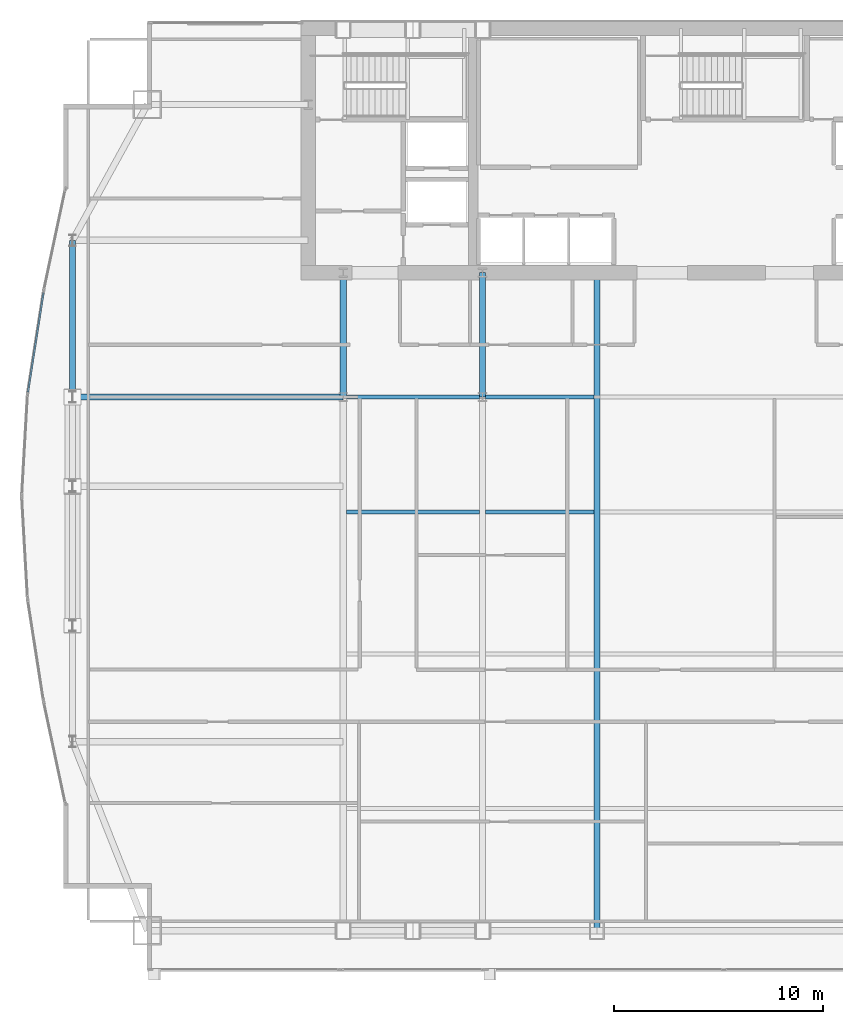
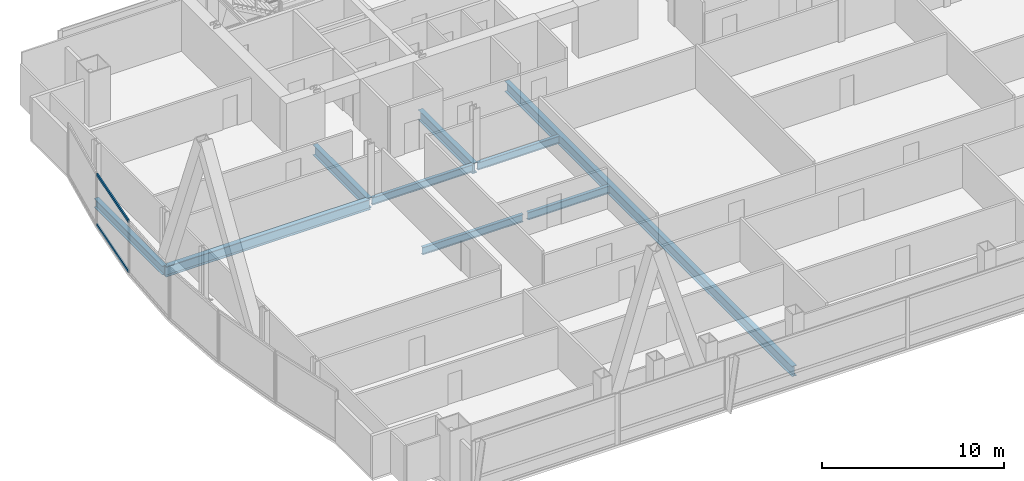
# One storey, part 12 of 30: 9 beams, 2 members, 1 element without a shape of its own.
"""IFC4 building model written with IfcOpenShell, lengths in metres."""

from ifc_helpers import new_model, si_unit, direction, frame, origin, origin_2d, place, context, subcontext, project, spatial, hollow_rectangle, i_section, extrude, material, material_profile, profile_set, type_object, element, aggregate, save


model = new_model("IFC4")

# Units and contexts
model_context = context("Model", 3, precision=1e-05, world=origin(), true_north=direction((0.0, 1.0)))
body_context = subcontext(model_context, "Body", "Model", "MODEL_VIEW")
ifc_project = project(units=[si_unit("LENGTHUNIT", "METRE"), si_unit("AREAUNIT", "SQUARE_METRE"), si_unit("VOLUMEUNIT", "CUBIC_METRE"), si_unit("PLANEANGLEUNIT", "RADIAN"), si_unit("MASSUNIT", "GRAM", prefix="KILO")], contexts=[model_context])

# Site, building, storey
site_placement = place(None, origin())
site = spatial("IfcSite", under=ifc_project, at=site_placement, CompositionType="ELEMENT")
building_placement = place(site_placement, origin())
building = spatial("IfcBuilding", under=site, at=building_placement, Name="Khoronbel Lancet Exchange", CompositionType="ELEMENT")
storey_placement = place(building_placement, frame((0.0, 0.0, 157.800048828125)))
storey = spatial("IfcBuildingStorey", under=building, at=storey_placement, Name="L39", CompositionType="ELEMENT", Elevation=157.800048828125)

# Beams
ifc_material_1 = material(Name="Steel S355", Category="steel")
ifc_material_profile_1 = material_profile(ifc_material_1, i_section(OverallWidth=0.300048828125, OverallDepth=0.699951171875, WebThickness=0.01708984375, FlangeThickness=0.031982421875, at=origin_2d()), Name="HEB 700")
ifc_profile_set_1 = profile_set([ifc_material_profile_1], Name="Steel S355")
beam_type_1 = type_object("IfcBeamType", Name="BM-BG3", PredefinedType="BEAM", material=ifc_profile_set_1)
for number, where, z_axis, x_axis, name in (
    (1, (18.22509765625, 35.699951171875, -0.510009765625), (0.0, 1.0, 0.0), (-1.0, 0.0, 0.0), "Level L39 spine tie girder GN1"),
    (2, (24.89990234375, 35.699951171875, -0.510009765625), (0.0, 1.0, 0.0), (-1.0, 0.0, 0.0), "Level L39 spine tie girder GN2"),
):
    element("IfcBeam", number, at=place(storey_placement, frame(where, z_axis=z_axis, x_axis=x_axis)), inside=storey, type_object=beam_type_1, Name=name, PredefinedType="BEAM", context=body_context, shape_type="SweptSolid", body=[
        extrude(i_section(OverallWidth=0.300048828125, OverallDepth=0.699951171875, WebThickness=0.01708984375, FlangeThickness=0.031982421875, at=origin_2d()), origin(), (0.0, 0.0, 1.0), 5.949951171875),
    ])
beam_1_placement = place(storey_placement, frame((30.375, 10.14990234375, -0.510009765625), z_axis=(0.0, 1.0, 0.0), x_axis=(-1.0, 0.0, 0.0)))
element("IfcBeam", 3, at=beam_1_placement, inside=storey, type_object=beam_type_1, Name="Level L39 primary floor girder G3", PredefinedType="BEAM", context=body_context, shape_type="SweptSolid", body=[
    extrude(i_section(OverallWidth=0.300048828125, OverallDepth=0.699951171875, WebThickness=0.01708984375, FlangeThickness=0.031982421875, at=origin_2d()), origin(), (0.0, 0.0, 1.0), 31.5),
])
beam_2_placement = place(storey_placement, frame((5.27001953125, 35.699951171875, -0.510009765625), z_axis=(1.0, 0.0, 0.0), x_axis=(0.0, 1.0, 0.0)))
element("IfcBeam", 4, at=beam_2_placement, inside=storey, type_object=beam_type_1, Name="Level L39 west lens tie girder LG4W", PredefinedType="BEAM", context=body_context, shape_type="SweptSolid", body=[
    extrude(i_section(OverallWidth=0.300048828125, OverallDepth=0.699951171875, WebThickness=0.01708984375, FlangeThickness=0.031982421875, at=origin_2d()), origin(), (0.0, 0.0, 1.0), 12.955078125),
])
ifc_material_profile_2 = material_profile(ifc_material_1, i_section(OverallWidth=0.199951171875, OverallDepth=0.5, WebThickness=0.01025390625, FlangeThickness=0.01611328125, at=origin_2d()), Name="IPE 500")
ifc_profile_set_2 = profile_set([ifc_material_profile_2], Name="Steel S355")
beam_type_2 = type_object("IfcBeamType", Name="BM-BJ3", PredefinedType="JOIST", material=ifc_profile_set_2)
beam_3_placement = place(storey_placement, frame((18.375, 30.199951171875, -0.41015625), z_axis=(1.0, 0.0, 0.0), x_axis=(0.0, 1.0, 0.0)))
element("IfcBeam", 5, at=beam_3_placement, inside=storey, type_object=beam_type_2, Name="Level L39 secondary composite joist J11", PredefinedType="JOIST", context=body_context, shape_type="SweptSolid", body=[
    extrude(i_section(OverallWidth=0.199951171875, OverallDepth=0.5, WebThickness=0.01025390625, FlangeThickness=0.01611328125, at=origin_2d()), origin(), (0.0, 0.0, 1.0), 6.375),
])
beam_4_placement = place(storey_placement, frame((25.050048828125, 30.199951171875, -0.41015625), z_axis=(1.0, 0.0, 0.0), x_axis=(0.0, 1.0, 0.0)))
element("IfcBeam", 6, at=beam_4_placement, inside=storey, type_object=beam_type_2, Name="Level L39 secondary composite joist J12", PredefinedType="JOIST", context=body_context, shape_type="SweptSolid", body=[
    extrude(i_section(OverallWidth=0.199951171875, OverallDepth=0.5, WebThickness=0.01025390625, FlangeThickness=0.01611328125, at=origin_2d()), origin(), (0.0, 0.0, 1.0), 5.175048828125),
])
beam_5_placement = place(storey_placement, frame((18.375, 35.699951171875, -0.41015625), z_axis=(1.0, 0.0, 0.0), x_axis=(0.0, 1.0, 0.0)))
element("IfcBeam", 7, at=beam_5_placement, inside=storey, type_object=beam_type_2, Name="Level L39 secondary composite joist J16", PredefinedType="JOIST", context=body_context, shape_type="SweptSolid", body=[
    extrude(i_section(OverallWidth=0.199951171875, OverallDepth=0.5, WebThickness=0.01025390625, FlangeThickness=0.01611328125, at=origin_2d()), origin(), (0.0, 0.0, 1.0), 6.375),
])
beam_6_placement = place(storey_placement, frame((25.050048828125, 35.699951171875, -0.41015625), z_axis=(1.0, 0.0, 0.0), x_axis=(0.0, 1.0, 0.0)))
element("IfcBeam", 8, at=beam_6_placement, inside=storey, type_object=beam_type_2, Name="Level L39 secondary composite joist J17", PredefinedType="JOIST", context=body_context, shape_type="SweptSolid", body=[
    extrude(i_section(OverallWidth=0.199951171875, OverallDepth=0.5, WebThickness=0.01025390625, FlangeThickness=0.01611328125, at=origin_2d()), origin(), (0.0, 0.0, 1.0), 5.175048828125),
])
ifc_material_profile_3 = material_profile(ifc_material_1, i_section(OverallWidth=0.300048828125, OverallDepth=0.60009765625, WebThickness=0.015380859375, FlangeThickness=0.030029296875, at=origin_2d()), Name="HEB 600")
ifc_profile_set_3 = profile_set([ifc_material_profile_3], Name="Steel S355")
beam_type_3 = type_object("IfcBeamType", Name="BM-BSP2", PredefinedType="SPANDREL", material=ifc_profile_set_3)
beam_7_placement = place(storey_placement, frame((5.27001953125, 43.199951171875, -0.4599609375), z_axis=(0.0, -1.0, 0.0), x_axis=(1.0, 0.0, 0.0)))
element("IfcBeam", 9, at=beam_7_placement, inside=storey, type_object=beam_type_3, Name="Level L39 perimeter spandrel beam SP17", PredefinedType="SPANDREL", context=body_context, shape_type="SweptSolid", body=[
    extrude(i_section(OverallWidth=0.300048828125, OverallDepth=0.60009765625, WebThickness=0.015380859375, FlangeThickness=0.030029296875, at=origin_2d()), origin(), (0.0, 0.0, 1.0), 7.5),
])

# Curtain wall, members
ifc_material_2 = material(Name="Low-E Solar Control Insulating Glass", Category="glass")
curtain_wall_type = type_object("IfcCurtainWallType", Name="CW-4", PredefinedType="NOTDEFINED", material=ifc_material_2)
curtain_wall_placement = place(storey_placement, origin())
curtain_wall = element("IfcCurtainWall", 10, at=curtain_wall_placement, inside=storey, type_object=curtain_wall_type, Name="Unitised curtain wall CW-L39-E08", PredefinedType="NOTDEFINED")
ifc_material_3 = material(Name="Bronze-Anodised Aluminium 6063-T6", Category="aluminium")
ifc_material_profile_4 = material_profile(ifc_material_3, hollow_rectangle(XDim=0.0849609375, YDim=0.179931640625, WallThickness=0.0048828125, at=origin_2d()), Name="ALU TRANSOM 85x180")
ifc_profile_set_4 = profile_set([ifc_material_profile_4], Name="Bronze-Anodised Aluminium 6063-T6")
member_type = type_object("IfcMemberType", Name="MEM-CWT1", PredefinedType="USERDEFINED", material=ifc_profile_set_4)
member_1_placement = place(storey_placement, frame((3.1357421875, 35.931396484375, 0.04248046875), z_axis=(0.154211518123, 0.988037857411, 0.0), x_axis=(-0.988037857411, 0.154211518123, 0.0)))
member_1 = element("IfcMember", 11, at=member_1_placement, type_object=member_type, Name="CW4 transom 1.1", ObjectType="TRANSOM", PredefinedType="USERDEFINED", context=body_context, shape_type="SweptSolid", body=[
    extrude(hollow_rectangle(XDim=0.0849609375, YDim=0.179931640625, WallThickness=0.0048828125, at=origin_2d()), origin(), (0.0, 0.0, 1.0), 4.819091796875),
])
member_2_placement = place(storey_placement, frame((3.1357421875, 35.931396484375, 3.3974609375), z_axis=(0.154211518123, 0.988037857411, 0.0), x_axis=(-0.988037857411, 0.154211518123, 0.0)))
member_2 = element("IfcMember", 12, at=member_2_placement, type_object=member_type, Name="CW4 transom 1.2", ObjectType="TRANSOM", PredefinedType="USERDEFINED", context=body_context, shape_type="SweptSolid", body=[
    extrude(hollow_rectangle(XDim=0.0849609375, YDim=0.179931640625, WallThickness=0.0048828125, at=origin_2d()), origin(), (0.0, 0.0, 1.0), 4.819091796875),
])
aggregate(curtain_wall, [member_1, member_2])

save(model, "model.ifc")
